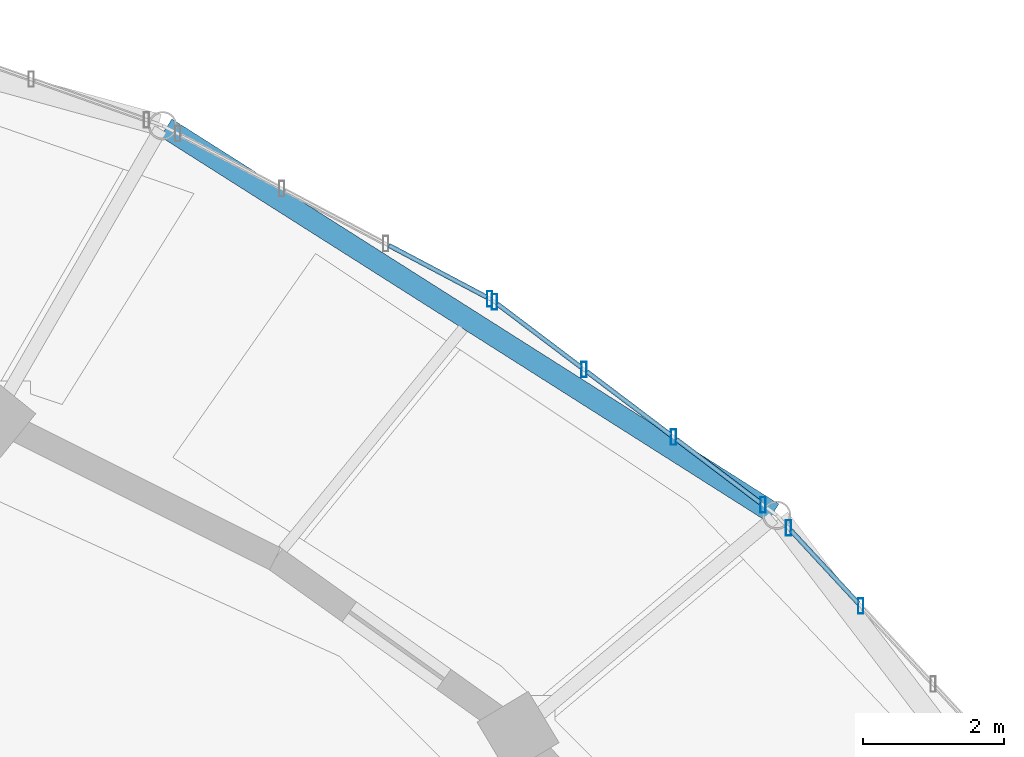
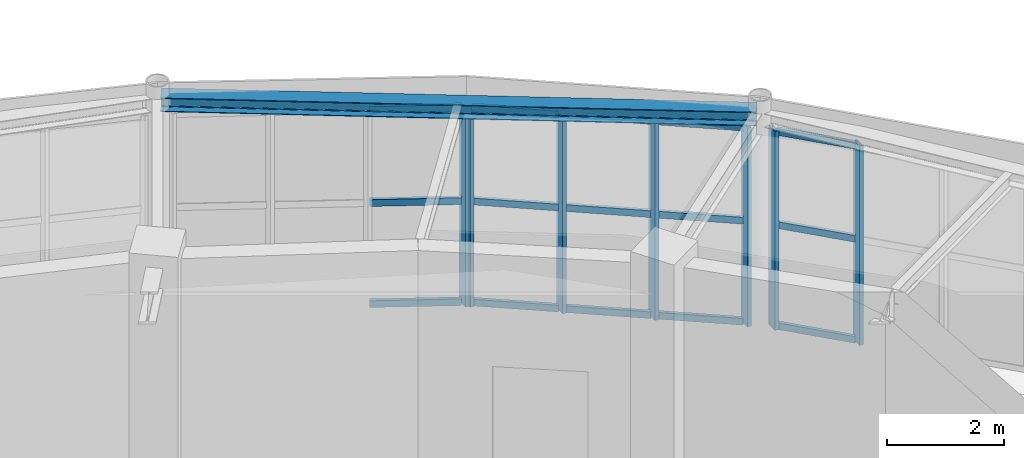
# One storey, part 53 of 100: 22 members, 1 beam, 3 elements without a shape of their own.
"""IFC4 building model written with IfcOpenShell, lengths in metres."""

from ifc_helpers import new_model, si_unit, direction, frame, origin, origin_2d, place, context, subcontext, project, spatial, hollow_rectangle, i_section, extrude, material, material_profile, profile_set, type_object, element, aggregate, save


model = new_model("IFC4")

# Units and contexts
model_context = context("Model", 3, precision=1e-05, world=origin(), true_north=direction((0.0, 1.0)))
body_context = subcontext(model_context, "Body", "Model", "MODEL_VIEW")
ifc_project = project(units=[si_unit("LENGTHUNIT", "METRE"), si_unit("AREAUNIT", "SQUARE_METRE"), si_unit("VOLUMEUNIT", "CUBIC_METRE"), si_unit("PLANEANGLEUNIT", "RADIAN"), si_unit("MASSUNIT", "GRAM", prefix="KILO")], contexts=[model_context])

# Site, building, storey
site_placement = place(None, origin())
site = spatial("IfcSite", under=ifc_project, at=site_placement, CompositionType="ELEMENT")
building_placement = place(site_placement, origin())
building = spatial("IfcBuilding", under=site, at=building_placement, Name="Tarnveldt Headland Concert Hall", CompositionType="ELEMENT")
storey_placement = place(building_placement, frame((0.0, 0.0, 4.800048828125)))
storey = spatial("IfcBuildingStorey", under=building, at=storey_placement, Name="L01", CompositionType="ELEMENT", Elevation=4.800048828125)

# Curtain wall, members
ifc_material_1 = material(Name="Marine-anodised aluminium EN AW-6063-T6", Category="aluminium")
curtain_wall_type = type_object("IfcCurtainWallType", Name="CW-F2", PredefinedType="NOTDEFINED", material=ifc_material_1)
curtain_wall_1_placement = place(storey_placement, origin())
curtain_wall_1 = element("IfcCurtainWall", 1, at=curtain_wall_1_placement, inside=storey, type_object=curtain_wall_type, Name="Curtain wall CW-L01-030", PredefinedType="NOTDEFINED")
ifc_material_profile_1 = material_profile(ifc_material_1, hollow_rectangle(XDim=0.074951171875, YDim=0.219970703125, WallThickness=0.0048828125, at=origin_2d()), Name="ALU MULLION 75x220x5", Category="aluminium")
ifc_profile_set_1 = profile_set([ifc_material_profile_1], Name="Marine-anodised aluminium EN AW-6063-T6")
member_type_1 = type_object("IfcMemberType", Name="ML-200", PredefinedType="MULLION", material=ifc_profile_set_1)
member_1_placement = place(storey_placement, frame((109.820556640625, 69.151611328125, 0.0), z_axis=(0.0, 0.0, 1.0), x_axis=(1.0, 0.0, 0.0)))
member_1 = element("IfcMember", 2, at=member_1_placement, type_object=member_type_1, Name="Mullion CW-L01-030-3", PredefinedType="MULLION", context=body_context, shape_type="SweptSolid", body=[
    extrude(hollow_rectangle(XDim=0.074951171875, YDim=0.219970703125, WallThickness=0.0048828125, at=origin_2d()), origin(), (0.0, 0.0, 1.0), 4.159912109375),
])
member_2_placement = place(storey_placement, frame((108.79150390625, 70.2626953125, 0.0), z_axis=(0.0, 0.0, 1.0), x_axis=(1.0, 0.0, 0.0)))
member_2 = element("IfcMember", 3, at=member_2_placement, type_object=member_type_1, Name="Mullion CW-L01-030-4", PredefinedType="MULLION", context=body_context, shape_type="SweptSolid", body=[
    extrude(hollow_rectangle(XDim=0.074951171875, YDim=0.219970703125, WallThickness=0.0048828125, at=origin_2d()), origin(), (0.0, 0.0, 1.0), 4.159912109375),
])

curtain_wall_2_placement = place(storey_placement, origin())
curtain_wall_2 = element("IfcCurtainWall", 4, at=curtain_wall_2_placement, inside=storey, type_object=curtain_wall_type, Name="Curtain wall CW-L01-031", PredefinedType="NOTDEFINED")
member_3_placement = place(storey_placement, frame((108.432373046875, 70.587890625, 0.0), z_axis=(0.0, 0.0, 1.0), x_axis=(1.0, 0.0, 0.0)))
member_3 = element("IfcMember", 5, at=member_3_placement, type_object=member_type_1, Name="Mullion CW-L01-031-1", PredefinedType="MULLION", context=body_context, shape_type="SweptSolid", body=[
    extrude(hollow_rectangle(XDim=0.074951171875, YDim=0.219970703125, WallThickness=0.0048828125, at=origin_2d()), origin(), (0.0, 0.0, 1.0), 4.159912109375),
])
member_4_placement = place(storey_placement, frame((107.159912109375, 71.5498046875, 0.0), z_axis=(0.0, 0.0, 1.0), x_axis=(1.0, 0.0, 0.0)))
member_4 = element("IfcMember", 6, at=member_4_placement, type_object=member_type_1, Name="Mullion CW-L01-031-2", PredefinedType="MULLION", context=body_context, shape_type="SweptSolid", body=[
    extrude(hollow_rectangle(XDim=0.074951171875, YDim=0.219970703125, WallThickness=0.0048828125, at=origin_2d()), origin(), (0.0, 0.0, 1.0), 4.159912109375),
])
member_5_placement = place(storey_placement, frame((105.8876953125, 72.51171875, 0.0), z_axis=(0.0, 0.0, 1.0), x_axis=(1.0, 0.0, 0.0)))
member_5 = element("IfcMember", 7, at=member_5_placement, type_object=member_type_1, Name="Mullion CW-L01-031-3", PredefinedType="MULLION", context=body_context, shape_type="SweptSolid", body=[
    extrude(hollow_rectangle(XDim=0.074951171875, YDim=0.219970703125, WallThickness=0.0048828125, at=origin_2d()), origin(), (0.0, 0.0, 1.0), 4.159912109375),
])
member_6_placement = place(storey_placement, frame((104.615234375, 73.473876953125, 0.0), z_axis=(0.0, 0.0, 1.0), x_axis=(1.0, 0.0, 0.0)))
member_6 = element("IfcMember", 8, at=member_6_placement, type_object=member_type_1, Name="Mullion CW-L01-031-4", PredefinedType="MULLION", context=body_context, shape_type="SweptSolid", body=[
    extrude(hollow_rectangle(XDim=0.074951171875, YDim=0.219970703125, WallThickness=0.0048828125, at=origin_2d()), origin(), (0.0, 0.0, 1.0), 4.159912109375),
])

# Curtain wall, member
curtain_wall_3_placement = place(storey_placement, origin())
curtain_wall_3 = element("IfcCurtainWall", 9, at=curtain_wall_3_placement, inside=storey, type_object=curtain_wall_type, Name="Curtain wall CW-L01-032", PredefinedType="NOTDEFINED")
member_7_placement = place(storey_placement, frame((104.548095703125, 73.5166015625, 0.0), z_axis=(0.0, 0.0, 1.0), x_axis=(1.0, 0.0, 0.0)))
member_7 = element("IfcMember", 10, at=member_7_placement, type_object=member_type_1, Name="Mullion CW-L01-032-1", PredefinedType="MULLION", context=body_context, shape_type="SweptSolid", body=[
    extrude(hollow_rectangle(XDim=0.074951171875, YDim=0.219970703125, WallThickness=0.0048828125, at=origin_2d()), origin(), (0.0, 0.0, 1.0), 4.159912109375),
])

# Beam
ifc_material_2 = material(Name="Steel S355", Category="steel")
ifc_material_profile_2 = material_profile(ifc_material_2, i_section(OverallWidth=0.300048828125, OverallDepth=0.2900390625, WebThickness=0.008544921875, FlangeThickness=0.013916015625, FilletRadius=0.027099609375, at=origin_2d()), Name="HEA300", Category="steel")
ifc_profile_set_2 = profile_set([ifc_material_profile_2], Name="Steel S355")
beam_type = type_object("IfcBeamType", Name="SB-HEA300", PredefinedType="SPANDREL", material=ifc_profile_set_2)
beam_placement = place(storey_placement, frame((108.57568359375, 70.47314453125, 4.39501953125), z_axis=(-0.844390967344, 0.535727444012, 0.0), x_axis=(-0.535727444012, -0.844390967344, 0.0)))
element("IfcBeam", 11, at=beam_placement, inside=storey, type_object=beam_type, Name="Framing beam L01-684", PredefinedType="SPANDREL", context=body_context, shape_type="SweptSolid", body=[
    extrude(i_section(OverallWidth=0.300048828125, OverallDepth=0.2900390625, WebThickness=0.008544921875, FlangeThickness=0.013916015625, FilletRadius=0.027099609375, at=origin_2d()), origin(), (0.0, 0.0, 1.0), 10.21435546875),
])

# Member
ifc_material_profile_3 = material_profile(ifc_material_1, hollow_rectangle(XDim=0.06494140625, YDim=0.139892578125, WallThickness=0.00390625, at=origin_2d()), Name="ALU TRANSOM 65x140x4", Category="aluminium")
ifc_profile_set_3 = profile_set([ifc_material_profile_3], Name="Marine-anodised aluminium EN AW-6063-T6")
member_type_2 = type_object("IfcMemberType", Name="TR-140", PredefinedType="MEMBER", material=ifc_profile_set_3)
member_8_placement = place(storey_placement, frame((109.786865234375, 69.18798828125, 0.050048828125), z_axis=(-0.679504344073, 0.733671483966, 0.0), x_axis=(-0.733671483966, -0.679504344073, 0.0)))
member_8 = element("IfcMember", 12, at=member_8_placement, type_object=member_type_2, Name="Transom CW-L01-030-3-1", PredefinedType="MEMBER", context=body_context, shape_type="SweptSolid", body=[
    extrude(hollow_rectangle(XDim=0.06494140625, YDim=0.139892578125, WallThickness=0.00390625, at=origin_2d()), origin(), (0.0, 0.0, 1.0), 1.415283203125),
])

member_9_placement = place(storey_placement, frame((109.786865234375, 69.18798828125, 2.1630859375), z_axis=(-0.679504344073, 0.733671483966, 0.0), x_axis=(-0.733671483966, -0.679504344073, 0.0)))
member_9 = element("IfcMember", 13, at=member_9_placement, type_object=member_type_2, Name="Transom CW-L01-030-3-2", PredefinedType="MEMBER", context=body_context, shape_type="SweptSolid", body=[
    extrude(hollow_rectangle(XDim=0.06494140625, YDim=0.139892578125, WallThickness=0.00390625, at=origin_2d()), origin(), (0.0, 0.0, 1.0), 1.415283203125),
])

member_10_placement = place(storey_placement, frame((109.786865234375, 69.18798828125, 4.10986328125), z_axis=(-0.679504344073, 0.733671483966, 0.0), x_axis=(-0.733671483966, -0.679504344073, 0.0)))
member_10 = element("IfcMember", 14, at=member_10_placement, type_object=member_type_2, Name="Transom CW-L01-030-3-3", PredefinedType="MEMBER", context=body_context, shape_type="SweptSolid", body=[
    extrude(hollow_rectangle(XDim=0.06494140625, YDim=0.139892578125, WallThickness=0.00390625, at=origin_2d()), origin(), (0.0, 0.0, 1.0), 1.415283203125),
])

aggregate(curtain_wall_1, [member_1, member_2, member_8, member_9, member_10])

member_11_placement = place(storey_placement, frame((108.392822265625, 70.61767578125, 0.050048828125), z_axis=(-0.797644013211, 0.603128533721, 0.0), x_axis=(-0.603128533721, -0.797644013211, 0.0)))
member_11 = element("IfcMember", 15, at=member_11_placement, type_object=member_type_2, Name="Transom CW-L01-031-1-1", PredefinedType="MEMBER", context=body_context, shape_type="SweptSolid", body=[
    extrude(hollow_rectangle(XDim=0.06494140625, YDim=0.139892578125, WallThickness=0.00390625, at=origin_2d()), origin(), (0.0, 0.0, 1.0), 1.49609375),
])

member_12_placement = place(storey_placement, frame((108.392822265625, 70.61767578125, 2.1630859375), z_axis=(-0.797644013211, 0.603128533721, 0.0), x_axis=(-0.603128533721, -0.797644013211, 0.0)))
member_12 = element("IfcMember", 16, at=member_12_placement, type_object=member_type_2, Name="Transom CW-L01-031-1-2", PredefinedType="MEMBER", context=body_context, shape_type="SweptSolid", body=[
    extrude(hollow_rectangle(XDim=0.06494140625, YDim=0.139892578125, WallThickness=0.00390625, at=origin_2d()), origin(), (0.0, 0.0, 1.0), 1.49609375),
])

member_13_placement = place(storey_placement, frame((108.392822265625, 70.61767578125, 4.10986328125), z_axis=(-0.797644013211, 0.603128533721, 0.0), x_axis=(-0.603128533721, -0.797644013211, 0.0)))
member_13 = element("IfcMember", 17, at=member_13_placement, type_object=member_type_2, Name="Transom CW-L01-031-1-3", PredefinedType="MEMBER", context=body_context, shape_type="SweptSolid", body=[
    extrude(hollow_rectangle(XDim=0.06494140625, YDim=0.139892578125, WallThickness=0.00390625, at=origin_2d()), origin(), (0.0, 0.0, 1.0), 1.49609375),
])

member_14_placement = place(storey_placement, frame((107.12060546875, 71.57958984375, 0.050048828125), z_axis=(-0.797703362138, 0.603050036094, 0.0), x_axis=(-0.603050036094, -0.797703362138, 0.0)))
member_14 = element("IfcMember", 18, at=member_14_placement, type_object=member_type_2, Name="Transom CW-L01-031-2-1", PredefinedType="MEMBER", context=body_context, shape_type="SweptSolid", body=[
    extrude(hollow_rectangle(XDim=0.06494140625, YDim=0.139892578125, WallThickness=0.00390625, at=origin_2d()), origin(), (0.0, 0.0, 1.0), 1.496337890625),
])

member_15_placement = place(storey_placement, frame((107.12060546875, 71.57958984375, 2.1630859375), z_axis=(-0.797703362138, 0.603050036094, 0.0), x_axis=(-0.603050036094, -0.797703362138, 0.0)))
member_15 = element("IfcMember", 19, at=member_15_placement, type_object=member_type_2, Name="Transom CW-L01-031-2-2", PredefinedType="MEMBER", context=body_context, shape_type="SweptSolid", body=[
    extrude(hollow_rectangle(XDim=0.06494140625, YDim=0.139892578125, WallThickness=0.00390625, at=origin_2d()), origin(), (0.0, 0.0, 1.0), 1.496337890625),
])

member_16_placement = place(storey_placement, frame((107.12060546875, 71.57958984375, 4.10986328125), z_axis=(-0.797703362138, 0.603050036094, 0.0), x_axis=(-0.603050036094, -0.797703362138, 0.0)))
member_16 = element("IfcMember", 20, at=member_16_placement, type_object=member_type_2, Name="Transom CW-L01-031-2-3", PredefinedType="MEMBER", context=body_context, shape_type="SweptSolid", body=[
    extrude(hollow_rectangle(XDim=0.06494140625, YDim=0.139892578125, WallThickness=0.00390625, at=origin_2d()), origin(), (0.0, 0.0, 1.0), 1.496337890625),
])

member_17_placement = place(storey_placement, frame((105.84814453125, 72.541748046875, 0.050048828125), z_axis=(-0.797722519103, 0.603024694781, 0.0), x_axis=(-0.603024694781, -0.797722519103, 0.0)))
member_17 = element("IfcMember", 21, at=member_17_placement, type_object=member_type_2, Name="Transom CW-L01-031-3-1", PredefinedType="MEMBER", context=body_context, shape_type="SweptSolid", body=[
    extrude(hollow_rectangle(XDim=0.06494140625, YDim=0.139892578125, WallThickness=0.00390625, at=origin_2d()), origin(), (0.0, 0.0, 1.0), 1.495849609375),
])

member_18_placement = place(storey_placement, frame((105.84814453125, 72.541748046875, 2.1630859375), z_axis=(-0.797722519103, 0.603024694781, 0.0), x_axis=(-0.603024694781, -0.797722519103, 0.0)))
member_18 = element("IfcMember", 22, at=member_18_placement, type_object=member_type_2, Name="Transom CW-L01-031-3-2", PredefinedType="MEMBER", context=body_context, shape_type="SweptSolid", body=[
    extrude(hollow_rectangle(XDim=0.06494140625, YDim=0.139892578125, WallThickness=0.00390625, at=origin_2d()), origin(), (0.0, 0.0, 1.0), 1.495849609375),
])

member_19_placement = place(storey_placement, frame((105.84814453125, 72.541748046875, 4.10986328125), z_axis=(-0.797722519103, 0.603024694781, 0.0), x_axis=(-0.603024694781, -0.797722519103, 0.0)))
member_19 = element("IfcMember", 23, at=member_19_placement, type_object=member_type_2, Name="Transom CW-L01-031-3-3", PredefinedType="MEMBER", context=body_context, shape_type="SweptSolid", body=[
    extrude(hollow_rectangle(XDim=0.06494140625, YDim=0.139892578125, WallThickness=0.00390625, at=origin_2d()), origin(), (0.0, 0.0, 1.0), 1.495849609375),
])

aggregate(curtain_wall_2, [member_3, member_4, member_5, member_6, member_11, member_12, member_13, member_14, member_15, member_16, member_17, member_18, member_19])

member_20_placement = place(storey_placement, frame((104.50439453125, 73.539794921875, 0.050048828125), z_axis=(-0.883787916347, 0.467887720419, 0.0), x_axis=(-0.467887720419, -0.883787916347, 0.0)))
member_20 = element("IfcMember", 24, at=member_20_placement, type_object=member_type_2, Name="Transom CW-L01-032-1-1", PredefinedType="MEMBER", context=body_context, shape_type="SweptSolid", body=[
    extrude(hollow_rectangle(XDim=0.06494140625, YDim=0.139892578125, WallThickness=0.00390625, at=origin_2d()), origin(), (0.0, 0.0, 1.0), 1.5732421875),
])

member_21_placement = place(storey_placement, frame((104.50439453125, 73.539794921875, 2.1630859375), z_axis=(-0.883787916347, 0.467887720419, 0.0), x_axis=(-0.467887720419, -0.883787916347, 0.0)))
member_21 = element("IfcMember", 25, at=member_21_placement, type_object=member_type_2, Name="Transom CW-L01-032-1-2", PredefinedType="MEMBER", context=body_context, shape_type="SweptSolid", body=[
    extrude(hollow_rectangle(XDim=0.06494140625, YDim=0.139892578125, WallThickness=0.00390625, at=origin_2d()), origin(), (0.0, 0.0, 1.0), 1.5732421875),
])

member_22_placement = place(storey_placement, frame((104.50439453125, 73.539794921875, 4.10986328125), z_axis=(-0.883787916347, 0.467887720419, 0.0), x_axis=(-0.467887720419, -0.883787916347, 0.0)))
member_22 = element("IfcMember", 26, at=member_22_placement, type_object=member_type_2, Name="Transom CW-L01-032-1-3", PredefinedType="MEMBER", context=body_context, shape_type="SweptSolid", body=[
    extrude(hollow_rectangle(XDim=0.06494140625, YDim=0.139892578125, WallThickness=0.00390625, at=origin_2d()), origin(), (0.0, 0.0, 1.0), 1.5732421875),
])

aggregate(curtain_wall_3, [member_7, member_20, member_21, member_22])

save(model, "model.ifc")
